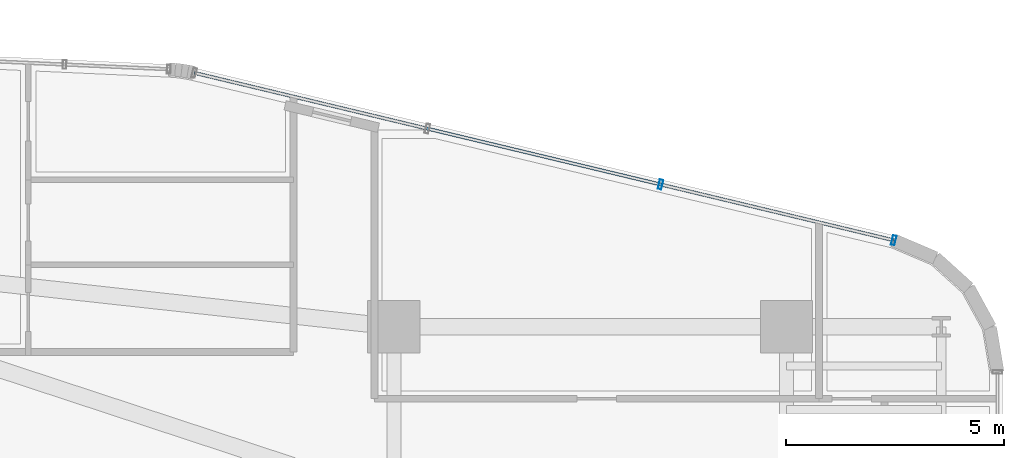
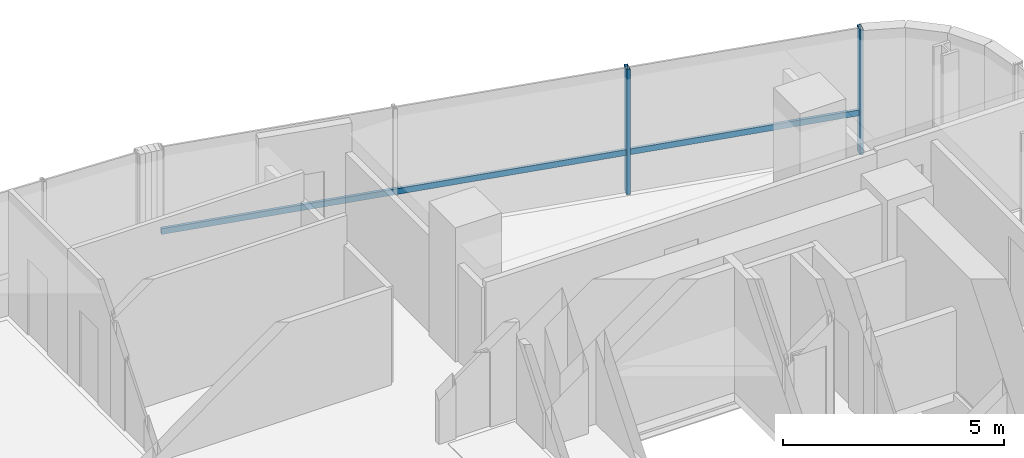
# One storey, part 25 of 38: 3 members, 1 element without a shape of its own.
"""IFC4 building model written with IfcOpenShell, lengths in metres."""

from ifc_helpers import new_model, si_unit, direction, frame, origin, origin_2d, place, context, subcontext, project, spatial, hollow_rectangle, extrude, source, transform, mapped, material, material_profile, profile_set, type_object, element, aggregate, save


model = new_model("IFC4")

# Units and contexts
model_context = context("Model", 3, precision=1e-05, world=origin(), true_north=direction((0.0, 1.0)))
body_context = subcontext(model_context, "Body", "Model", "MODEL_VIEW")
ifc_project = project(units=[si_unit("LENGTHUNIT", "METRE"), si_unit("AREAUNIT", "SQUARE_METRE"), si_unit("VOLUMEUNIT", "CUBIC_METRE"), si_unit("PLANEANGLEUNIT", "RADIAN"), si_unit("MASSUNIT", "GRAM", prefix="KILO")], contexts=[model_context])

# Site, building, storey
site_placement = place(None, origin())
site = spatial("IfcSite", under=ifc_project, at=site_placement, CompositionType="ELEMENT")
building_placement = place(site_placement, origin())
building = spatial("IfcBuilding", under=site, at=building_placement, Name="Valdorenza Pilgrim Sanctuary Tower", CompositionType="ELEMENT")
storey_placement = place(building_placement, frame((0.0, 0.0, 131.60009765625)))
storey = spatial("IfcBuildingStorey", under=building, at=storey_placement, Name="L33", CompositionType="ELEMENT", Elevation=131.60009765625)

# Curtain wall, members
ifc_material_1 = material(Name="Curtain-wall IGU glazing", Category="glass")
curtain_wall_type = type_object("IfcCurtainWallType", Name="CW-SYS-03", PredefinedType="NOTDEFINED", material=ifc_material_1)
curtain_wall_placement = place(storey_placement, origin())
curtain_wall = element("IfcCurtainWall", 1, at=curtain_wall_placement, inside=storey, type_object=curtain_wall_type, Name="L33 Curtain Wall CW-L33-1-16", PredefinedType="NOTDEFINED")
ifc_material_2 = material(Name="Anodised aluminium AW-6060", Category="aluminium")
ifc_material_profile_1 = material_profile(ifc_material_2, hollow_rectangle(XDim=0.0849609375, YDim=0.219970703125, WallThickness=0.0048828125, at=origin_2d()), Name="ALU-M 220x85x5")
ifc_profile_set_1 = profile_set([ifc_material_profile_1], Name="Anodised aluminium AW-6060")
member_type_1 = type_object("IfcMemberType", Name="CW-MUL-03", PredefinedType="MULLION", material=ifc_profile_set_1)
shared_shape_1 = source(origin(), body_context, "Body", "SweptSolid", [
    extrude(hollow_rectangle(XDim=0.0849609375, YDim=0.219970703125, WallThickness=0.0048828125, at=origin_2d()), origin(), (0.0, 0.0, 1.0), 3.4599609375),
])
member_1_placement = place(storey_placement, frame((21.964111328125, 16.7626953125, 0.0), z_axis=(0.0, 0.0, 1.0), x_axis=(0.972528596343, -0.232783438617, 0.0)))
member_1 = element("IfcMember", 2, at=member_1_placement, type_object=member_type_1, Name="CW-L33-1-16 Mullion 3", PredefinedType="MULLION", context=body_context, shape_type="MappedRepresentation", body=[
    mapped(shared_shape_1, transform((0.0, 0.0, 0.0), x_axis=(1.0, 0.0, 0.0), y_axis=(0.0, 1.0, 0.0), z_axis=(0.0, 0.0, 1.0), scale=1.0)),
])
member_2_placement = place(storey_placement, frame((27.310302734375, 15.48291015625, 0.0), z_axis=(0.0, 0.0, 1.0), x_axis=(0.972528596343, -0.232783438617, 0.0)))
member_2 = element("IfcMember", 3, at=member_2_placement, type_object=member_type_1, Name="CW-L33-1-16 Mullion 4", PredefinedType="MULLION", context=body_context, shape_type="MappedRepresentation", body=[
    mapped(shared_shape_1, transform((0.0, 0.0, 0.0), x_axis=(1.0, 0.0, 0.0), y_axis=(0.0, 1.0, 0.0), z_axis=(0.0, 0.0, 1.0), scale=1.0)),
])
ifc_material_profile_2 = material_profile(ifc_material_2, hollow_rectangle(XDim=0.074951171875, YDim=0.159912109375, WallThickness=0.00390625, at=origin_2d()), Name="ALU-T 160x75x4")
ifc_profile_set_2 = profile_set([ifc_material_profile_2], Name="Anodised aluminium AW-6060")
member_type_2 = type_object("IfcMemberType", Name="CW-TRN-03", PredefinedType="USERDEFINED", material=ifc_profile_set_2)
shared_shape_2 = source(origin(), body_context, "Body", "SweptSolid", [
    extrude(hollow_rectangle(XDim=0.074951171875, YDim=0.159912109375, WallThickness=0.00390625, at=origin_2d()), origin(), (0.0, 0.0, 1.0), 16.491943359375),
])
member_3_placement = place(storey_placement, frame((11.271484375, 19.322021484375, 1.119873046875), z_axis=(0.972527548122, -0.232787817859, 0.0), x_axis=(0.232787817859, 0.972527548122, 0.0)))
member_3 = element("IfcMember", 4, at=member_3_placement, type_object=member_type_2, Name="CW-L33-1-16 Transom 1", ObjectType="TRANSOM", PredefinedType="USERDEFINED", context=body_context, shape_type="MappedRepresentation", body=[
    mapped(shared_shape_2, transform((0.0, 0.0, 0.0), x_axis=(1.0, 0.0, 0.0), y_axis=(0.0, 1.0, 0.0), z_axis=(0.0, 0.0, 1.0), scale=1.0)),
])
aggregate(curtain_wall, [member_1, member_2, member_3])

save(model, "model.ifc")
